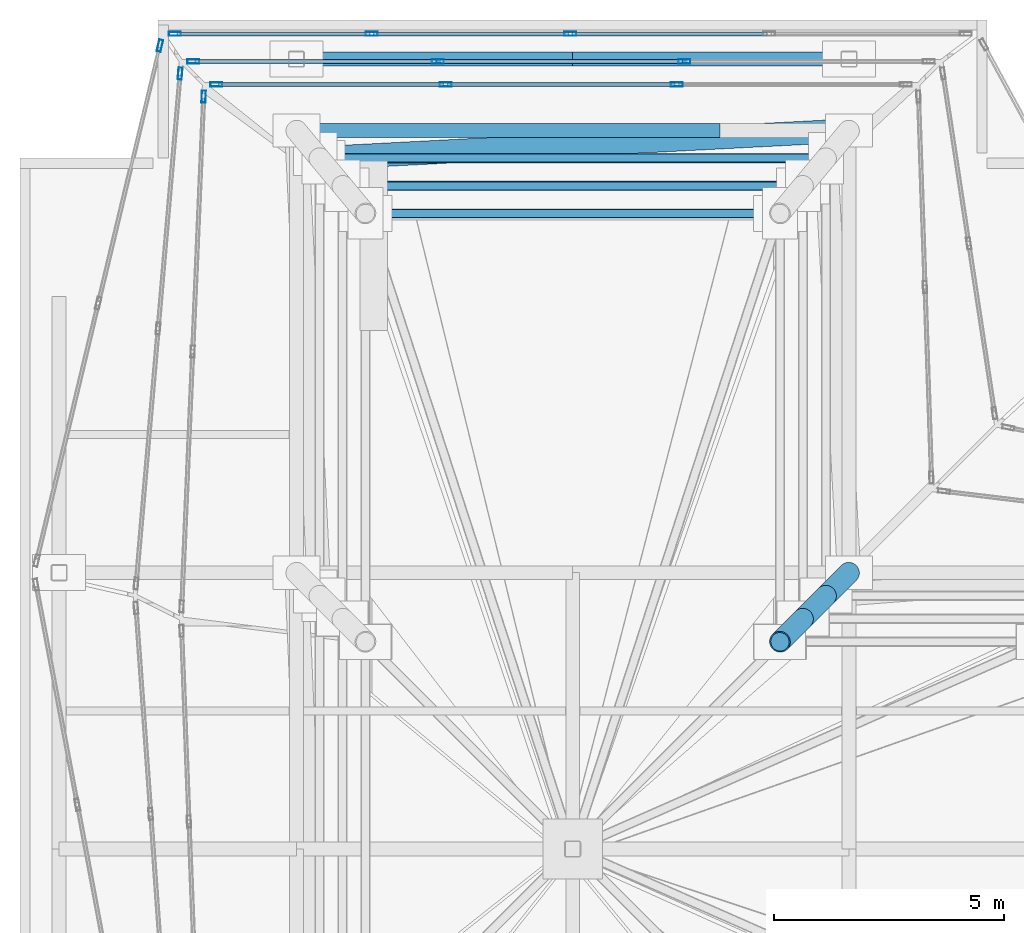
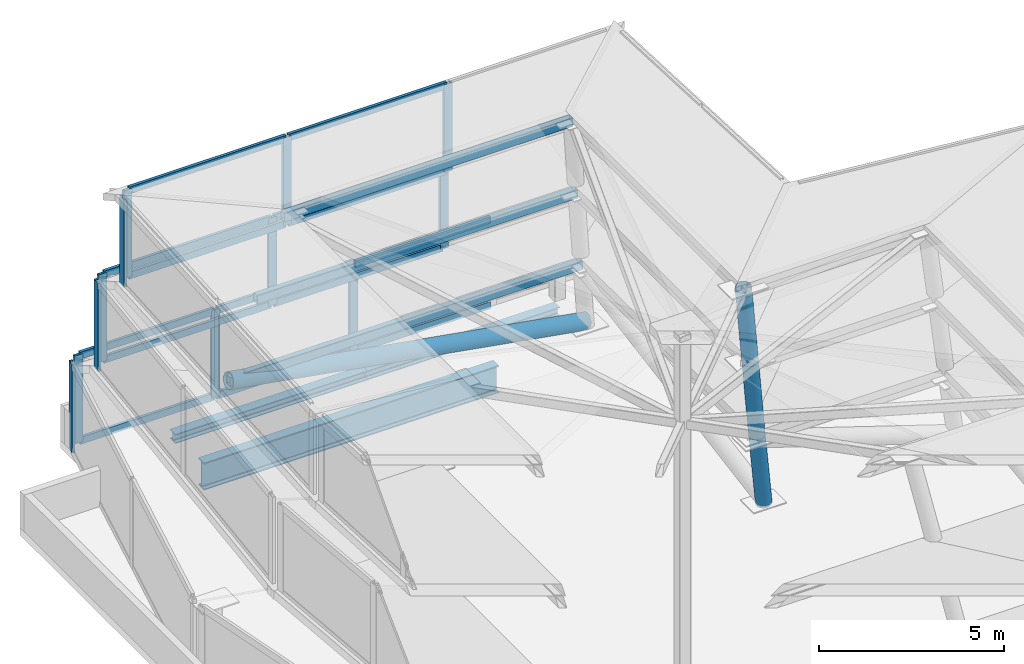
# One storey, part 8 of 15: 30 members, 6 beams, 6 elements without a shape of their own.
"""IFC4 building model written with IfcOpenShell, lengths in metres."""

from ifc_helpers import new_model, si_unit, direction, frame, origin, origin_2d, place, context, subcontext, project, spatial, hollow_rectangle, hollow_circle, i_section, extrude, material, layer, layer_set, material_profile, profile_set, type_object, element, aggregate, save


model = new_model("IFC4")

# Units and contexts
model_context = context("Model", 3, precision=1e-05, world=origin(), true_north=direction((0.0, 1.0)))
body_context = subcontext(model_context, "Body", "Model", "MODEL_VIEW")
ifc_project = project(units=[si_unit("LENGTHUNIT", "METRE"), si_unit("AREAUNIT", "SQUARE_METRE"), si_unit("VOLUMEUNIT", "CUBIC_METRE"), si_unit("PLANEANGLEUNIT", "RADIAN"), si_unit("MASSUNIT", "GRAM", prefix="KILO"), si_unit("THERMODYNAMICTEMPERATUREUNIT", "KELVIN"), si_unit("POWERUNIT", "WATT")], contexts=[model_context])

# Site, building, storey
site_placement = place(None, origin())
site = spatial("IfcSite", under=ifc_project, at=site_placement, CompositionType="ELEMENT")
building_placement = place(site_placement, origin())
building = spatial("IfcBuilding", under=site, at=building_placement, Name="Svarakhadi Broadcast Tower", CompositionType="ELEMENT")
storey_placement = place(building_placement, frame((0.0, 0.0, 310.5)))
storey = spatial("IfcBuildingStorey", under=building, at=storey_placement, Name="RF", CompositionType="ELEMENT", Elevation=310.5)

# Curtain wall, members
ifc_material_1 = material(Name="Anodised Bronze Aluminium AA 6063-T6", Category="aluminium")
ifc_layer = layer(ifc_material_1, 0.260009765625)
ifc_layer_set = layer_set([ifc_layer], Name="Anodised Bronze Aluminium AA 6063-T6")
curtain_wall_type = type_object("IfcCurtainWallType", Name="CW_Sys_07", PredefinedType="NOTDEFINED", material=ifc_layer_set)
curtain_wall_1_placement = place(storey_placement, origin())
curtain_wall_1 = element("IfcCurtainWall", 1, at=curtain_wall_1_placement, inside=storey, type_object=curtain_wall_type, Name="Crown Tier 1 Faceted Curtain Wall 6", PredefinedType="NOTDEFINED")
ifc_material_profile_1 = material_profile(ifc_material_1, hollow_rectangle(XDim=0.090087890625, YDim=0.260009765625, WallThickness=0.005615234375, at=origin_2d()), Name="ALU MULLION 260x90x6")
ifc_profile_set_1 = profile_set([ifc_material_profile_1], Name="Anodised Bronze Aluminium AA 6063-T6")
member_type_1 = type_object("IfcMemberType", Name="CW_Sys_07_Mul", PredefinedType="MULLION", material=ifc_profile_set_1)
member_1_placement = place(storey_placement, frame((11.949951171875, 29.699951171875, 0.0), z_axis=(0.0, 0.0, 1.0), x_axis=(0.0, -1.0, 0.0)))
member_1 = element("IfcMember", 2, at=member_1_placement, type_object=member_type_1, Name="CW-07 mullion 3", PredefinedType="MULLION", context=body_context, shape_type="SweptSolid", body=[
    extrude(hollow_rectangle(XDim=0.090087890625, YDim=0.260009765625, WallThickness=0.005615234375, at=origin_2d()), origin(), (0.0, 0.0, 1.0), 2.89990234375),
])
member_2_placement = place(storey_placement, frame((7.635009765625, 29.699951171875, 0.0), z_axis=(0.0, 0.0, 1.0), x_axis=(0.0, -1.0, 0.0)))
member_2 = element("IfcMember", 3, at=member_2_placement, type_object=member_type_1, Name="CW-07 mullion 4", PredefinedType="MULLION", context=body_context, shape_type="SweptSolid", body=[
    extrude(hollow_rectangle(XDim=0.090087890625, YDim=0.260009765625, WallThickness=0.005615234375, at=origin_2d()), origin(), (0.0, 0.0, 1.0), 2.89990234375),
])
member_3_placement = place(storey_placement, frame((3.364990234375, 29.699951171875, 0.0), z_axis=(0.0, 0.0, 1.0), x_axis=(0.0, -1.0, 0.0)))
member_3 = element("IfcMember", 4, at=member_3_placement, type_object=member_type_1, Name="CW-07 mullion 5", PredefinedType="MULLION", context=body_context, shape_type="SweptSolid", body=[
    extrude(hollow_rectangle(XDim=0.090087890625, YDim=0.260009765625, WallThickness=0.005615234375, at=origin_2d()), origin(), (0.0, 0.0, 1.0), 2.89990234375),
])

# Curtain wall, member
curtain_wall_2_placement = place(storey_placement, origin())
curtain_wall_2 = element("IfcCurtainWall", 5, at=curtain_wall_2_placement, inside=storey, type_object=curtain_wall_type, Name="Crown Tier 1 Faceted Curtain Wall 7", PredefinedType="NOTDEFINED")
member_4_placement = place(storey_placement, frame((3.038330078125, 29.442138671875, 0.0), z_axis=(0.0, 0.0, 1.0), x_axis=(0.972537468468, -0.232746369309, 0.0)))
member_4 = element("IfcMember", 6, at=member_4_placement, type_object=member_type_1, Name="CW-07 mullion 1", PredefinedType="MULLION", context=body_context, shape_type="SweptSolid", body=[
    extrude(hollow_rectangle(XDim=0.090087890625, YDim=0.260009765625, WallThickness=0.005615234375, at=origin_2d()), origin(), (0.0, 0.0, 1.0), 2.89990234375),
])
aggregate(curtain_wall_2, [member_4])

# Curtain wall, members
curtain_wall_3_placement = place(storey_placement, origin())
curtain_wall_3 = element("IfcCurtainWall", 7, at=curtain_wall_3_placement, inside=storey, type_object=curtain_wall_type, Name="Crown Tier 2 Faceted Curtain Wall 6", PredefinedType="NOTDEFINED")
member_5_placement = place(storey_placement, frame((14.4267578125, 29.10009765625, 2.89990234375), z_axis=(0.0, 0.0, 1.0), x_axis=(0.0, -1.0, 0.0)))
member_5 = element("IfcMember", 8, at=member_5_placement, type_object=member_type_1, Name="CW-07 mullion 2", PredefinedType="MULLION", context=body_context, shape_type="SweptSolid", body=[
    extrude(hollow_rectangle(XDim=0.090087890625, YDim=0.260009765625, WallThickness=0.005615234375, at=origin_2d()), origin(), (0.0, 0.0, 1.0), 2.900146484375),
])
member_6_placement = place(storey_placement, frame((9.0732421875, 29.10009765625, 2.89990234375), z_axis=(0.0, 0.0, 1.0), x_axis=(0.0, -1.0, 0.0)))
member_6 = element("IfcMember", 9, at=member_6_placement, type_object=member_type_1, Name="CW-07 mullion 3", PredefinedType="MULLION", context=body_context, shape_type="SweptSolid", body=[
    extrude(hollow_rectangle(XDim=0.090087890625, YDim=0.260009765625, WallThickness=0.005615234375, at=origin_2d()), origin(), (0.0, 0.0, 1.0), 2.900146484375),
])
member_7_placement = place(storey_placement, frame((3.764892578125, 29.10009765625, 2.89990234375), z_axis=(0.0, 0.0, 1.0), x_axis=(0.0, -1.0, 0.0)))
member_7 = element("IfcMember", 10, at=member_7_placement, type_object=member_type_1, Name="CW-07 mullion 4", PredefinedType="MULLION", context=body_context, shape_type="SweptSolid", body=[
    extrude(hollow_rectangle(XDim=0.090087890625, YDim=0.260009765625, WallThickness=0.005615234375, at=origin_2d()), origin(), (0.0, 0.0, 1.0), 2.900146484375),
])

# Curtain wall, member
curtain_wall_4_placement = place(storey_placement, origin())
curtain_wall_4 = element("IfcCurtainWall", 11, at=curtain_wall_4_placement, inside=storey, type_object=curtain_wall_type, Name="Crown Tier 2 Faceted Curtain Wall 7", PredefinedType="NOTDEFINED")
member_8_placement = place(storey_placement, frame((3.477294921875, 28.8359375, 2.89990234375), z_axis=(0.0, 0.0, 1.0), x_axis=(0.996304821652, -0.085887731099, 0.0)))
member_8 = element("IfcMember", 12, at=member_8_placement, type_object=member_type_1, Name="CW-07 mullion 1", PredefinedType="MULLION", context=body_context, shape_type="SweptSolid", body=[
    extrude(hollow_rectangle(XDim=0.090087890625, YDim=0.260009765625, WallThickness=0.005615234375, at=origin_2d()), origin(), (0.0, 0.0, 1.0), 2.900146484375),
])
aggregate(curtain_wall_4, [member_8])

# Curtain wall, members
curtain_wall_5_placement = place(storey_placement, origin())
curtain_wall_5 = element("IfcCurtainWall", 13, at=curtain_wall_5_placement, inside=storey, type_object=curtain_wall_type, Name="Crown Tier 3 Faceted Curtain Wall 6", PredefinedType="NOTDEFINED")
member_9_placement = place(storey_placement, frame((14.260009765625, 28.60009765625, 5.800048828125), z_axis=(0.0, 0.0, 1.0), x_axis=(0.0, -1.0, 0.0)))
member_9 = element("IfcMember", 14, at=member_9_placement, type_object=member_type_1, Name="CW-07 mullion 2", PredefinedType="MULLION", context=body_context, shape_type="SweptSolid", body=[
    extrude(hollow_rectangle(XDim=0.090087890625, YDim=0.260009765625, WallThickness=0.005615234375, at=origin_2d()), origin(), (0.0, 0.0, 1.0), 2.89990234375),
])
member_10_placement = place(storey_placement, frame((9.239990234375, 28.60009765625, 5.800048828125), z_axis=(0.0, 0.0, 1.0), x_axis=(0.0, -1.0, 0.0)))
member_10 = element("IfcMember", 15, at=member_10_placement, type_object=member_type_1, Name="CW-07 mullion 3", PredefinedType="MULLION", context=body_context, shape_type="SweptSolid", body=[
    extrude(hollow_rectangle(XDim=0.090087890625, YDim=0.260009765625, WallThickness=0.005615234375, at=origin_2d()), origin(), (0.0, 0.0, 1.0), 2.89990234375),
])
member_11_placement = place(storey_placement, frame((4.264892578125, 28.60009765625, 5.800048828125), z_axis=(0.0, 0.0, 1.0), x_axis=(0.0, -1.0, 0.0)))
member_11 = element("IfcMember", 16, at=member_11_placement, type_object=member_type_1, Name="CW-07 mullion 4", PredefinedType="MULLION", context=body_context, shape_type="SweptSolid", body=[
    extrude(hollow_rectangle(XDim=0.090087890625, YDim=0.260009765625, WallThickness=0.005615234375, at=origin_2d()), origin(), (0.0, 0.0, 1.0), 2.89990234375),
])

# Curtain wall, member
curtain_wall_6_placement = place(storey_placement, origin())
curtain_wall_6 = element("IfcCurtainWall", 17, at=curtain_wall_6_placement, inside=storey, type_object=curtain_wall_type, Name="Crown Tier 3 Faceted Curtain Wall 7", PredefinedType="NOTDEFINED")
member_12_placement = place(storey_placement, frame((3.988525390625, 28.335205078125, 5.800048828125), z_axis=(0.0, 0.0, 1.0), x_axis=(0.999072538007, -0.043058841143, 0.0)))
member_12 = element("IfcMember", 18, at=member_12_placement, type_object=member_type_1, Name="CW-07 mullion 1", PredefinedType="MULLION", context=body_context, shape_type="SweptSolid", body=[
    extrude(hollow_rectangle(XDim=0.090087890625, YDim=0.260009765625, WallThickness=0.005615234375, at=origin_2d()), origin(), (0.0, 0.0, 1.0), 2.89990234375),
])
aggregate(curtain_wall_6, [member_12])

# Member
ifc_material_profile_2 = material_profile(ifc_material_1, hollow_rectangle(XDim=0.090087890625, YDim=0.22998046875, WallThickness=0.0048828125, at=origin_2d()), Name="ALU TRANSOM 230x90x5")
ifc_profile_set_2 = profile_set([ifc_material_profile_2], Name="Anodised Bronze Aluminium AA 6063-T6")
member_type_2 = type_object("IfcMemberType", Name="CW_Sys_07_Trn", PredefinedType="USERDEFINED", material=ifc_profile_set_2)
member_13_placement = place(storey_placement, frame((16.219970703125, 29.699951171875, 0.044921875), z_axis=(-1.0, 0.0, 0.0), x_axis=(0.0, -1.0, 0.0)))
member_13 = element("IfcMember", 19, at=member_13_placement, type_object=member_type_2, Name="CW-07 transom 2.1", ObjectType="TRANSOM", PredefinedType="USERDEFINED", context=body_context, shape_type="SweptSolid", body=[
    extrude(hollow_rectangle(XDim=0.090087890625, YDim=0.22998046875, WallThickness=0.0048828125, at=origin_2d()), origin(), (0.0, 0.0, 1.0), 4.224853515625),
])

member_14_placement = place(storey_placement, frame((16.219970703125, 29.699951171875, 2.85498046875), z_axis=(-1.0, 0.0, 0.0), x_axis=(0.0, -1.0, 0.0)))
member_14 = element("IfcMember", 20, at=member_14_placement, type_object=member_type_2, Name="CW-07 transom 2.2", ObjectType="TRANSOM", PredefinedType="USERDEFINED", context=body_context, shape_type="SweptSolid", body=[
    extrude(hollow_rectangle(XDim=0.090087890625, YDim=0.22998046875, WallThickness=0.0048828125, at=origin_2d()), origin(), (0.0, 0.0, 1.0), 4.224853515625),
])

member_15_placement = place(storey_placement, frame((11.905029296875, 29.699951171875, 0.044921875), z_axis=(-1.0, 0.0, 0.0), x_axis=(0.0, -1.0, 0.0)))
member_15 = element("IfcMember", 21, at=member_15_placement, type_object=member_type_2, Name="CW-07 transom 3.1", ObjectType="TRANSOM", PredefinedType="USERDEFINED", context=body_context, shape_type="SweptSolid", body=[
    extrude(hollow_rectangle(XDim=0.090087890625, YDim=0.22998046875, WallThickness=0.0048828125, at=origin_2d()), origin(), (0.0, 0.0, 1.0), 4.22509765625),
])

member_16_placement = place(storey_placement, frame((11.905029296875, 29.699951171875, 2.85498046875), z_axis=(-1.0, 0.0, 0.0), x_axis=(0.0, -1.0, 0.0)))
member_16 = element("IfcMember", 22, at=member_16_placement, type_object=member_type_2, Name="CW-07 transom 3.2", ObjectType="TRANSOM", PredefinedType="USERDEFINED", context=body_context, shape_type="SweptSolid", body=[
    extrude(hollow_rectangle(XDim=0.090087890625, YDim=0.22998046875, WallThickness=0.0048828125, at=origin_2d()), origin(), (0.0, 0.0, 1.0), 4.22509765625),
])

member_17_placement = place(storey_placement, frame((7.590087890625, 29.699951171875, 0.044921875), z_axis=(-1.0, 0.0, 0.0), x_axis=(0.0, -1.0, 0.0)))
member_17 = element("IfcMember", 23, at=member_17_placement, type_object=member_type_2, Name="CW-07 transom 4.1", ObjectType="TRANSOM", PredefinedType="USERDEFINED", context=body_context, shape_type="SweptSolid", body=[
    extrude(hollow_rectangle(XDim=0.090087890625, YDim=0.22998046875, WallThickness=0.0048828125, at=origin_2d()), origin(), (0.0, 0.0, 1.0), 4.18017578125),
])

member_18_placement = place(storey_placement, frame((7.590087890625, 29.699951171875, 2.85498046875), z_axis=(-1.0, 0.0, 0.0), x_axis=(0.0, -1.0, 0.0)))
member_18 = element("IfcMember", 24, at=member_18_placement, type_object=member_type_2, Name="CW-07 transom 4.2", ObjectType="TRANSOM", PredefinedType="USERDEFINED", context=body_context, shape_type="SweptSolid", body=[
    extrude(hollow_rectangle(XDim=0.090087890625, YDim=0.22998046875, WallThickness=0.0048828125, at=origin_2d()), origin(), (0.0, 0.0, 1.0), 4.18017578125),
])

aggregate(curtain_wall_1, [member_1, member_2, member_3, member_13, member_14, member_15, member_16, member_17, member_18])

member_19_placement = place(storey_placement, frame((14.381591796875, 29.10009765625, 2.945068359375), z_axis=(-1.0, 0.0, 0.0), x_axis=(0.0, -1.0, 0.0)))
member_19 = element("IfcMember", 25, at=member_19_placement, type_object=member_type_2, Name="CW-07 transom 2.1", ObjectType="TRANSOM", PredefinedType="USERDEFINED", context=body_context, shape_type="SweptSolid", body=[
    extrude(hollow_rectangle(XDim=0.090087890625, YDim=0.22998046875, WallThickness=0.0048828125, at=origin_2d()), origin(), (0.0, 0.0, 1.0), 5.26318359375),
])

member_20_placement = place(storey_placement, frame((14.381591796875, 29.10009765625, 5.7548828125), z_axis=(-1.0, 0.0, 0.0), x_axis=(0.0, -1.0, 0.0)))
member_20 = element("IfcMember", 26, at=member_20_placement, type_object=member_type_2, Name="CW-07 transom 2.2", ObjectType="TRANSOM", PredefinedType="USERDEFINED", context=body_context, shape_type="SweptSolid", body=[
    extrude(hollow_rectangle(XDim=0.090087890625, YDim=0.22998046875, WallThickness=0.0048828125, at=origin_2d()), origin(), (0.0, 0.0, 1.0), 5.26318359375),
])

member_21_placement = place(storey_placement, frame((9.0283203125, 29.10009765625, 2.945068359375), z_axis=(-1.0, 0.0, 0.0), x_axis=(0.0, -1.0, 0.0)))
member_21 = element("IfcMember", 27, at=member_21_placement, type_object=member_type_2, Name="CW-07 transom 3.1", ObjectType="TRANSOM", PredefinedType="USERDEFINED", context=body_context, shape_type="SweptSolid", body=[
    extrude(hollow_rectangle(XDim=0.090087890625, YDim=0.22998046875, WallThickness=0.0048828125, at=origin_2d()), origin(), (0.0, 0.0, 1.0), 5.21826171875),
])

member_22_placement = place(storey_placement, frame((9.0283203125, 29.10009765625, 5.7548828125), z_axis=(-1.0, 0.0, 0.0), x_axis=(0.0, -1.0, 0.0)))
member_22 = element("IfcMember", 28, at=member_22_placement, type_object=member_type_2, Name="CW-07 transom 3.2", ObjectType="TRANSOM", PredefinedType="USERDEFINED", context=body_context, shape_type="SweptSolid", body=[
    extrude(hollow_rectangle(XDim=0.090087890625, YDim=0.22998046875, WallThickness=0.0048828125, at=origin_2d()), origin(), (0.0, 0.0, 1.0), 5.21826171875),
])

aggregate(curtain_wall_3, [member_5, member_6, member_7, member_19, member_20, member_21, member_22])

member_23_placement = place(storey_placement, frame((14.215087890625, 28.60009765625, 5.844970703125), z_axis=(-1.0, 0.0, 0.0), x_axis=(0.0, -1.0, 0.0)))
member_23 = element("IfcMember", 29, at=member_23_placement, type_object=member_type_2, Name="CW-07 transom 2.1", ObjectType="TRANSOM", PredefinedType="USERDEFINED", context=body_context, shape_type="SweptSolid", body=[
    extrude(hollow_rectangle(XDim=0.090087890625, YDim=0.22998046875, WallThickness=0.0048828125, at=origin_2d()), origin(), (0.0, 0.0, 1.0), 4.93017578125),
])

member_24_placement = place(storey_placement, frame((14.215087890625, 28.60009765625, 8.655029296875), z_axis=(-1.0, 0.0, 0.0), x_axis=(0.0, -1.0, 0.0)))
member_24 = element("IfcMember", 30, at=member_24_placement, type_object=member_type_2, Name="CW-07 transom 2.2", ObjectType="TRANSOM", PredefinedType="USERDEFINED", context=body_context, shape_type="SweptSolid", body=[
    extrude(hollow_rectangle(XDim=0.090087890625, YDim=0.22998046875, WallThickness=0.0048828125, at=origin_2d()), origin(), (0.0, 0.0, 1.0), 4.93017578125),
])

member_25_placement = place(storey_placement, frame((9.195068359375, 28.60009765625, 5.844970703125), z_axis=(-1.0, 0.0, 0.0), x_axis=(0.0, -1.0, 0.0)))
member_25 = element("IfcMember", 31, at=member_25_placement, type_object=member_type_2, Name="CW-07 transom 3.1", ObjectType="TRANSOM", PredefinedType="USERDEFINED", context=body_context, shape_type="SweptSolid", body=[
    extrude(hollow_rectangle(XDim=0.090087890625, YDim=0.22998046875, WallThickness=0.0048828125, at=origin_2d()), origin(), (0.0, 0.0, 1.0), 4.885009765625),
])

member_26_placement = place(storey_placement, frame((9.195068359375, 28.60009765625, 8.655029296875), z_axis=(-1.0, 0.0, 0.0), x_axis=(0.0, -1.0, 0.0)))
member_26 = element("IfcMember", 32, at=member_26_placement, type_object=member_type_2, Name="CW-07 transom 3.2", ObjectType="TRANSOM", PredefinedType="USERDEFINED", context=body_context, shape_type="SweptSolid", body=[
    extrude(hollow_rectangle(XDim=0.090087890625, YDim=0.22998046875, WallThickness=0.0048828125, at=origin_2d()), origin(), (0.0, 0.0, 1.0), 4.885009765625),
])

aggregate(curtain_wall_5, [member_9, member_10, member_11, member_23, member_24, member_25, member_26])

# Members
ifc_material_2 = material(Name="Steel S460ML (IS 2062 E450BR)", Category="steel")
ifc_material_profile_3 = material_profile(ifc_material_2, hollow_circle(Radius=0.228515625, WallThickness=0.02490234375, at=origin_2d()), Name="CHS 457x25")
ifc_profile_set_3 = profile_set([ifc_material_profile_3], Name="Steel S460ML (IS 2062 E450BR)")
member_type_3 = type_object("IfcMemberType", Name="Crown_Spire_CHS457", PredefinedType="BRACE", material=ifc_profile_set_3)
member_27_placement = place(storey_placement, frame((18.0, 18.0, 0.0), z_axis=(-0.177911828824, -0.177911828824, 0.967829924279), x_axis=(0.707106781187, -0.707106781187, 0.0)))
element("IfcMember", 33, at=member_27_placement, inside=storey, type_object=member_type_3, Name="Crown Structural Spire Frame Chord SL-01-05", PredefinedType="BRACE", context=body_context, shape_type="SweptSolid", body=[
    extrude(hollow_circle(Radius=0.228515625, WallThickness=0.02490234375, at=origin_2d()), origin(), (0.0, 0.0, 1.0), 2.810302734375),
])
member_28_placement = place(storey_placement, frame((17.5, 17.5, 2.719970703125), z_axis=(-0.167498316665, -0.167498316665, 0.971539308432), x_axis=(0.707106781187, -0.707106781187, 0.0)))
element("IfcMember", 34, at=member_28_placement, inside=storey, type_object=member_type_3, Name="Crown Structural Spire Frame Chord SL-01-13", PredefinedType="BRACE", context=body_context, shape_type="SweptSolid", body=[
    extrude(hollow_circle(Radius=0.228515625, WallThickness=0.02490234375, at=origin_2d()), origin(), (0.0, 0.0, 1.0), 2.985107421875),
])
member_29_placement = place(storey_placement, frame((17.0, 17.0, 5.6201171875), z_axis=(-0.167511626872, -0.167511626872, 0.971534718744), x_axis=(0.707106781187, -0.707106781187, 0.0)))
element("IfcMember", 35, at=member_29_placement, inside=storey, type_object=member_type_3, Name="Crown Structural Spire Frame Chord SL-01-21", PredefinedType="BRACE", context=body_context, shape_type="SweptSolid", body=[
    extrude(hollow_circle(Radius=0.228515625, WallThickness=0.02490234375, at=origin_2d()), origin(), (0.0, 0.0, 1.0), 2.98486328125),
])
ifc_material_profile_4 = material_profile(ifc_material_2, hollow_circle(Radius=0.25390625, WallThickness=0.02490234375, at=origin_2d()), Name="CHS 508x25")
ifc_profile_set_4 = profile_set([ifc_material_profile_4], Name="Steel S460ML (IS 2062 E450BR)")
member_type_4 = type_object("IfcMemberType", Name="Exo_Brace_CHS508", PredefinedType="BRACE", material=ifc_profile_set_4)
member_30_placement = place(storey_placement, frame((18.0, 27.60009765625, 0.14990234375), z_axis=(-0.977291667361, -0.050997429483, 0.205670267887), x_axis=(0.052111503225, -0.998641272546, 0.0)))
element("IfcMember", 36, at=member_30_placement, inside=storey, type_object=member_type_4, Name="Crown Tier 1 Diagonal Brace EX-05-06", PredefinedType="BRACE", context=body_context, shape_type="SweptSolid", body=[
    extrude(hollow_circle(Radius=0.25390625, WallThickness=0.02490234375, at=origin_2d()), origin(), (0.0, 0.0, 1.0), 11.767333984375),
])

# Beams
ifc_material_3 = material(Name="Steel S355J2 (IS 2062 E350C)", Category="steel")
ifc_material_profile_5 = material_profile(ifc_material_3, i_section(OverallWidth=0.300048828125, OverallDepth=0.300048828125, WebThickness=0.010986328125, FlangeThickness=0.01904296875, FilletRadius=0.027099609375, at=origin_2d()), Name="WPB 300x300x117")
ifc_profile_set_5 = profile_set([ifc_material_profile_5], Name="Steel S355J2 (IS 2062 E350C)")
beam_type_1 = type_object("IfcBeamType", Name="Girder_WPB300", PredefinedType="USERDEFINED", material=ifc_profile_set_5)
for number, where, z_axis, x_axis, name in (
    (37, (6.0, 29.14990234375, -0.39990234375), (1.0, 0.0, 0.0), (0.0, 1.0, 0.0), "RF Primary E-W Girder G024"),
    (38, (12.0, 29.14990234375, -0.39990234375), (1.0, 0.0, 0.0), (0.0, 1.0, 0.0), "RF Primary E-W Girder G025"),
):
    element("IfcBeam", number, at=place(storey_placement, frame(where, z_axis=z_axis, x_axis=x_axis)), inside=storey, type_object=beam_type_1, Name=name, ObjectType="GIRDER", PredefinedType="USERDEFINED", context=body_context, shape_type="SweptSolid", body=[
        extrude(i_section(OverallWidth=0.300048828125, OverallDepth=0.300048828125, WebThickness=0.010986328125, FlangeThickness=0.01904296875, FilletRadius=0.027099609375, at=origin_2d()), origin(), (0.0, 0.0, 1.0), 6.0),
    ])
ifc_material_profile_6 = material_profile(ifc_material_2, i_section(OverallWidth=0.300048828125, OverallDepth=0.89990234375, WebThickness=0.0185546875, FlangeThickness=0.034912109375, FilletRadius=0.030029296875, at=origin_2d()), Name="WPB 900x300x291")
ifc_profile_set_6 = profile_set([ifc_material_profile_6], Name="Steel S460ML (IS 2062 E450BR)")
beam_type_2 = type_object("IfcBeamType", Name="Girder_WPB900", PredefinedType="USERDEFINED", material=ifc_profile_set_6)
beam_1_placement = place(storey_placement, frame((6.0, 27.60009765625, -0.699951171875), z_axis=(1.0, 0.0, 0.0), x_axis=(0.0, 1.0, 0.0)))
element("IfcBeam", 39, at=beam_1_placement, inside=storey, type_object=beam_type_2, Name="RF Primary E-W Girder G022", ObjectType="GIRDER", PredefinedType="USERDEFINED", context=body_context, shape_type="SweptSolid", body=[
    extrude(i_section(OverallWidth=0.300048828125, OverallDepth=0.89990234375, WebThickness=0.0185546875, FlangeThickness=0.034912109375, FilletRadius=0.030029296875, at=origin_2d()), origin(), (0.0, 0.0, 1.0), 9.199951171875),
])
ifc_material_profile_7 = material_profile(ifc_material_2, hollow_rectangle(XDim=0.199951171875, YDim=0.300048828125, WallThickness=0.012451171875, InnerFilletRadius=0.012451171875, OuterFilletRadius=0.02490234375, at=origin_2d()), Name="RHS 300x200x12.5")
ifc_profile_set_7 = profile_set([ifc_material_profile_7], Name="Steel S460ML (IS 2062 E450BR)")
beam_type_3 = type_object("IfcBeamType", Name="Spandrel_RHS300", PredefinedType="SPANDREL", material=ifc_profile_set_7)
beam_2_placement = place(storey_placement, frame((17.5, 27.0, 2.570068359375), z_axis=(-1.0, 0.0, 0.0), x_axis=(0.0, -1.0, 0.0)))
element("IfcBeam", 40, at=beam_2_placement, inside=storey, type_object=beam_type_3, Name="Crown Tier 1 Stiffening Ring Beam CR-R1-6", PredefinedType="SPANDREL", context=body_context, shape_type="SweptSolid", body=[
    extrude(hollow_rectangle(XDim=0.199951171875, YDim=0.300048828125, WallThickness=0.012451171875, InnerFilletRadius=0.012451171875, OuterFilletRadius=0.02490234375, at=origin_2d()), origin(), (0.0, 0.0, 1.0), 11.0),
])
beam_3_placement = place(storey_placement, frame((17.0, 26.39990234375, 5.469970703125), z_axis=(-1.0, 0.0, 0.0), x_axis=(0.0, -1.0, 0.0)))
element("IfcBeam", 41, at=beam_3_placement, inside=storey, type_object=beam_type_3, Name="Crown Tier 2 Stiffening Ring Beam CR-R2-6", PredefinedType="SPANDREL", context=body_context, shape_type="SweptSolid", body=[
    extrude(hollow_rectangle(XDim=0.199951171875, YDim=0.300048828125, WallThickness=0.012451171875, InnerFilletRadius=0.012451171875, OuterFilletRadius=0.02490234375, at=origin_2d()), origin(), (0.0, 0.0, 1.0), 10.0),
])
beam_4_placement = place(storey_placement, frame((16.5, 25.800048828125, 8.3701171875), z_axis=(-1.0, 0.0, 0.0), x_axis=(0.0, -1.0, 0.0)))
element("IfcBeam", 42, at=beam_4_placement, inside=storey, type_object=beam_type_3, Name="Crown Tier 3 Stiffening Ring Beam CR-R3-6", PredefinedType="SPANDREL", context=body_context, shape_type="SweptSolid", body=[
    extrude(hollow_rectangle(XDim=0.199951171875, YDim=0.300048828125, WallThickness=0.012451171875, InnerFilletRadius=0.012451171875, OuterFilletRadius=0.02490234375, at=origin_2d()), origin(), (0.0, 0.0, 1.0), 9.0),
])

save(model, "model.ifc")
